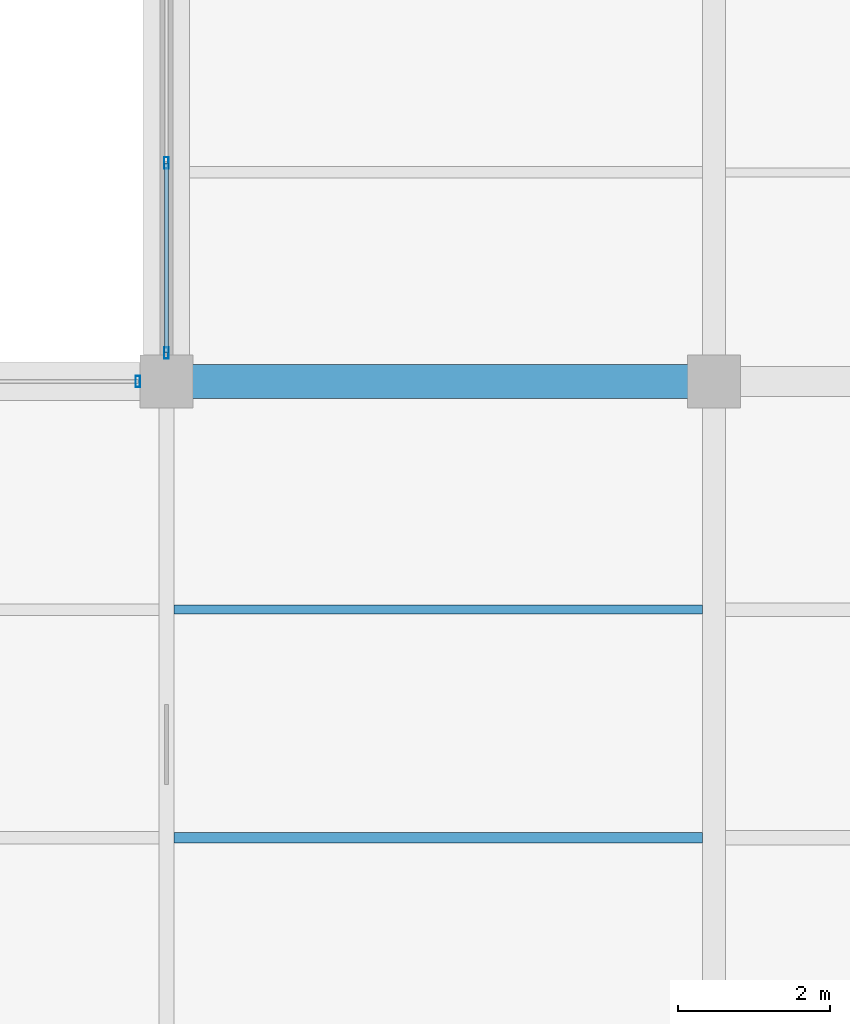
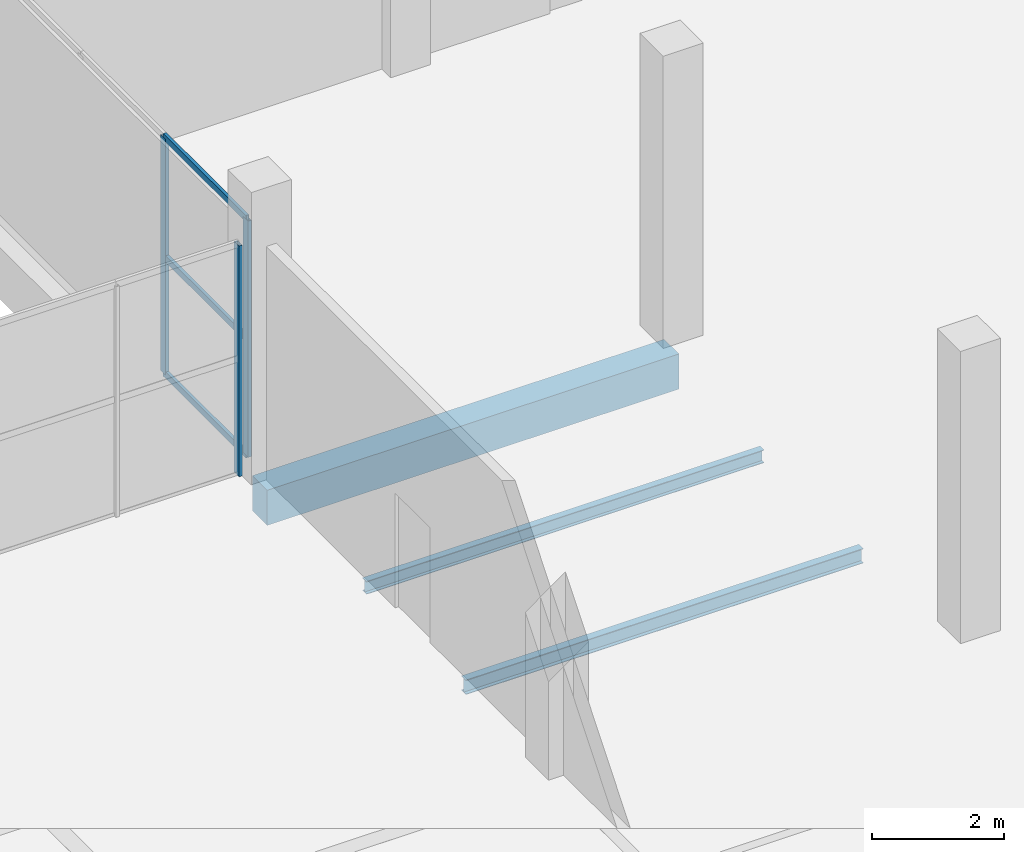
# One storey, part 104 of 147: 6 members, 3 beams, 2 elements without a shape of their own.
"""IFC4 building model written with IfcOpenShell, lengths in metres."""

from ifc_helpers import new_model, si_unit, direction, frame, origin, origin_2d, place, context, subcontext, project, spatial, rectangle, hollow_rectangle, i_section, extrude, material, layer, layer_set, material_profile, profile_set, type_object, element, aggregate, save


model = new_model("IFC4")

# Units and contexts
model_context = context("Model", 3, precision=1e-05, world=origin(), true_north=direction((0.0, 1.0)))
body_context = subcontext(model_context, "Body", "Model", "MODEL_VIEW")
ifc_project = project(units=[si_unit("LENGTHUNIT", "METRE"), si_unit("AREAUNIT", "SQUARE_METRE"), si_unit("VOLUMEUNIT", "CUBIC_METRE"), si_unit("PLANEANGLEUNIT", "RADIAN"), si_unit("MASSUNIT", "GRAM", prefix="KILO")], contexts=[model_context])

# Site, building, storey
site_placement = place(None, origin())
site = spatial("IfcSite", under=ifc_project, at=site_placement, CompositionType="ELEMENT")
building_placement = place(site_placement, origin())
building = spatial("IfcBuilding", under=site, at=building_placement, Name="Sundgate Opera House", CompositionType="ELEMENT")
storey_placement = place(building_placement, frame((0.0, 0.0, 6.0)))
storey = spatial("IfcBuildingStorey", under=building, at=storey_placement, Name="L01", CompositionType="ELEMENT", Elevation=6.0)

# Beams
ifc_material_1 = material(Name="Steel S355J2", Category="steel")
ifc_material_profile_1 = material_profile(ifc_material_1, i_section(OverallWidth=0.1201171875, OverallDepth=0.239990234375, WebThickness=0.006103515625, FlangeThickness=0.009765625, at=origin_2d()), Name="IPE 240")
ifc_profile_set_1 = profile_set([ifc_material_profile_1], Name="Steel S355J2")
beam_type_1 = type_object("IfcBeamType", Name="BM-JS-IPE240", PredefinedType="JOIST", material=ifc_profile_set_1)
beam_1_placement = place(storey_placement, frame((153.10009765625, 84.0, -0.419921875), z_axis=(1.0, 0.0, 0.0), x_axis=(0.0, 1.0, 0.0)))
element("IfcBeam", 1, at=beam_1_placement, inside=storey, type_object=beam_type_1, Name="L01 Secondary Floor Joist B1658", PredefinedType="JOIST", context=body_context, shape_type="SweptSolid", body=[
    extrude(i_section(OverallWidth=0.1201171875, OverallDepth=0.239990234375, WebThickness=0.006103515625, FlangeThickness=0.009765625, at=origin_2d()), origin(), (0.0, 0.0, 1.0), 6.949951171875),
])
ifc_material_2 = material(Name="Steel S355J2", Category="steel")
ifc_material_profile_2 = material_profile(ifc_material_2, i_section(OverallWidth=0.135009765625, OverallDepth=0.27001953125, WebThickness=0.006591796875, FlangeThickness=0.01025390625, at=origin_2d()), Name="IPE 270")
ifc_profile_set_2 = profile_set([ifc_material_profile_2], Name="Steel S355J2")
beam_type_2 = type_object("IfcBeamType", Name="BM-JS-IPE270", PredefinedType="JOIST", material=ifc_profile_set_2)
beam_2_placement = place(storey_placement, frame((153.10009765625, 81.0, -0.43505859375), z_axis=(1.0, 0.0, 0.0), x_axis=(0.0, 1.0, 0.0)))
element("IfcBeam", 2, at=beam_2_placement, inside=storey, type_object=beam_type_2, Name="L01 Secondary Floor Joist B1657", PredefinedType="JOIST", context=body_context, shape_type="SweptSolid", body=[
    extrude(i_section(OverallWidth=0.135009765625, OverallDepth=0.27001953125, WebThickness=0.006591796875, FlangeThickness=0.01025390625, at=origin_2d()), origin(), (0.0, 0.0, 1.0), 6.949951171875),
])
ifc_material_3 = material(Name="Concrete C35/45", Category="concrete")
ifc_material_profile_3 = material_profile(ifc_material_3, rectangle(XDim=0.449951171875, YDim=0.64990234375, at=origin_2d()), Name="RC 450x650")
ifc_profile_set_3 = profile_set([ifc_material_profile_3], Name="Concrete C35/45")
beam_type_3 = type_object("IfcBeamType", Name="BM-RC-450x650", PredefinedType="BEAM", material=ifc_profile_set_3)
beam_3_placement = place(storey_placement, frame((153.0, 87.0, -0.625), z_axis=(1.0, 0.0, 0.0), x_axis=(0.0, 1.0, 0.0)))
element("IfcBeam", 3, at=beam_3_placement, inside=storey, type_object=beam_type_3, Name="L01 Primary E-W Girder B1399", PredefinedType="BEAM", context=body_context, shape_type="SweptSolid", body=[
    extrude(rectangle(XDim=0.449951171875, YDim=0.64990234375, at=origin_2d()), origin(), (0.0, 0.0, 1.0), 7.199951171875),
])

# Curtain wall, member
ifc_material_4 = material(Name="Anodized aluminium and low-iron glass", Category="aluminium")
ifc_layer = layer(ifc_material_4, 0.159912109375)
ifc_layer_set = layer_set([ifc_layer], Name="Anodized aluminium and low-iron glass")
curtain_wall_type = type_object("IfcCurtainWallType", Name="CW-STUDIO-DARK", PredefinedType="NOTDEFINED", material=ifc_layer_set)
curtain_wall_1_placement = place(storey_placement, origin())
curtain_wall_1 = element("IfcCurtainWall", 4, at=curtain_wall_1_placement, inside=storey, type_object=curtain_wall_type, Name="L01 Curtain Wall CW100", PredefinedType="NOTDEFINED")
ifc_material_5 = material(Name="Anodized aluminium EN AW-6063", Category="aluminium")
ifc_material_profile_4 = material_profile(ifc_material_5, hollow_rectangle(XDim=0.06005859375, YDim=0.14990234375, WallThickness=0.00390625, at=origin_2d()), Name="CWM 150x60x4")
ifc_profile_set_4 = profile_set([ifc_material_profile_4], Name="Anodized aluminium EN AW-6063")
member_type_1 = type_object("IfcMemberType", Name="CWM-ALU-150x60", PredefinedType="MULLION", material=ifc_profile_set_4)
member_1_placement = place(storey_placement, frame((152.625, 87.0, 0.0), z_axis=(0.0, 0.0, 1.0), x_axis=(1.0, 0.0, 0.0)))
member_1 = element("IfcMember", 5, at=member_1_placement, type_object=member_type_1, Name="CW100 Mullion 4", PredefinedType="MULLION", context=body_context, shape_type="SweptSolid", body=[
    extrude(hollow_rectangle(XDim=0.06005859375, YDim=0.14990234375, WallThickness=0.00390625, at=origin_2d()), origin(), (0.0, 0.0, 1.0), 4.264892578125),
])
aggregate(curtain_wall_1, [member_1])

# Curtain wall, members
curtain_wall_2_placement = place(storey_placement, origin())
curtain_wall_2 = element("IfcCurtainWall", 6, at=curtain_wall_2_placement, inside=storey, type_object=curtain_wall_type, Name="L01 Curtain Wall CW103", PredefinedType="NOTDEFINED")
member_2_placement = place(storey_placement, frame((153.0, 89.875, 0.0), z_axis=(0.0, 0.0, 1.0), x_axis=(1.0, 0.0, 0.0)))
member_2 = element("IfcMember", 7, at=member_2_placement, type_object=member_type_1, Name="CW103 Mullion 3", PredefinedType="MULLION", context=body_context, shape_type="SweptSolid", body=[
    extrude(hollow_rectangle(XDim=0.06005859375, YDim=0.14990234375, WallThickness=0.00390625, at=origin_2d()), origin(), (0.0, 0.0, 1.0), 4.364990234375),
])
member_3_placement = place(storey_placement, frame((153.0, 87.375, 0.0), z_axis=(0.0, 0.0, 1.0), x_axis=(1.0, 0.0, 0.0)))
member_3 = element("IfcMember", 8, at=member_3_placement, type_object=member_type_1, Name="CW103 Mullion 4", PredefinedType="MULLION", context=body_context, shape_type="SweptSolid", body=[
    extrude(hollow_rectangle(XDim=0.06005859375, YDim=0.14990234375, WallThickness=0.00390625, at=origin_2d()), origin(), (0.0, 0.0, 1.0), 4.364990234375),
])
ifc_material_6 = material(Name="Anodized aluminium EN AW-6063", Category="aluminium")
ifc_material_profile_5 = material_profile(ifc_material_6, hollow_rectangle(XDim=0.054931640625, YDim=0.1201171875, WallThickness=0.00390625, at=origin_2d()), Name="CWT 120x55x4")
ifc_profile_set_5 = profile_set([ifc_material_profile_5], Name="Anodized aluminium EN AW-6063")
member_type_2 = type_object("IfcMemberType", Name="CWT-ALU-120x55", PredefinedType="USERDEFINED", material=ifc_profile_set_5)
member_4_placement = place(storey_placement, frame((153.0, 89.875, 0.0), z_axis=(0.0, -1.0, 0.0), x_axis=(1.0, 0.0, 0.0)))
member_4 = element("IfcMember", 9, at=member_4_placement, type_object=member_type_2, Name="CW103 Transom 7", ObjectType="TRANSOM", PredefinedType="USERDEFINED", context=body_context, shape_type="SweptSolid", body=[
    extrude(hollow_rectangle(XDim=0.054931640625, YDim=0.1201171875, WallThickness=0.00390625, at=origin_2d()), origin(), (0.0, 0.0, 1.0), 2.5),
])
member_5_placement = place(storey_placement, frame((153.0, 89.875, 2.14990234375), z_axis=(0.0, -1.0, 0.0), x_axis=(1.0, 0.0, 0.0)))
member_5 = element("IfcMember", 10, at=member_5_placement, type_object=member_type_2, Name="CW103 Transom 8", ObjectType="TRANSOM", PredefinedType="USERDEFINED", context=body_context, shape_type="SweptSolid", body=[
    extrude(hollow_rectangle(XDim=0.054931640625, YDim=0.1201171875, WallThickness=0.00390625, at=origin_2d()), origin(), (0.0, 0.0, 1.0), 2.5),
])
member_6_placement = place(storey_placement, frame((153.0, 89.875, 4.364990234375), z_axis=(0.0, -1.0, 0.0), x_axis=(1.0, 0.0, 0.0)))
member_6 = element("IfcMember", 11, at=member_6_placement, type_object=member_type_2, Name="CW103 Transom 9", ObjectType="TRANSOM", PredefinedType="USERDEFINED", context=body_context, shape_type="SweptSolid", body=[
    extrude(hollow_rectangle(XDim=0.054931640625, YDim=0.1201171875, WallThickness=0.00390625, at=origin_2d()), origin(), (0.0, 0.0, 1.0), 2.5),
])
aggregate(curtain_wall_2, [member_2, member_3, member_4, member_5, member_6])

save(model, "model.ifc")
